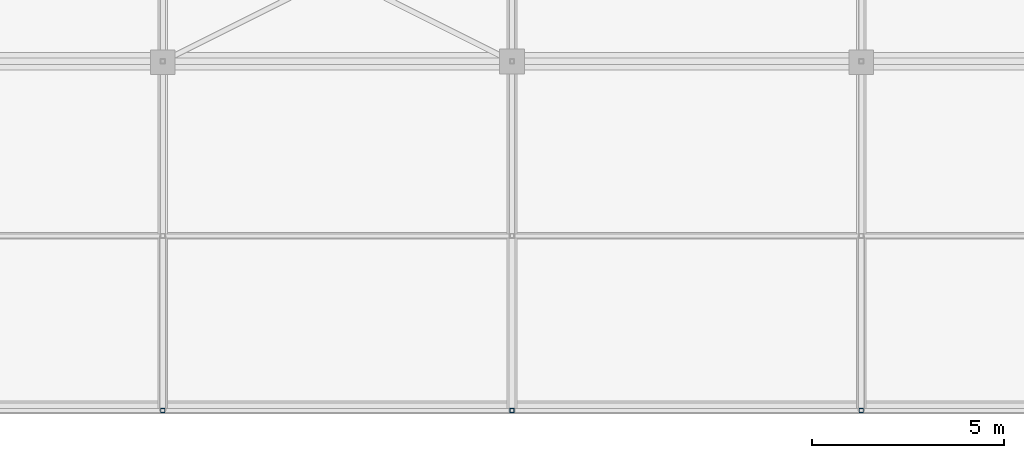
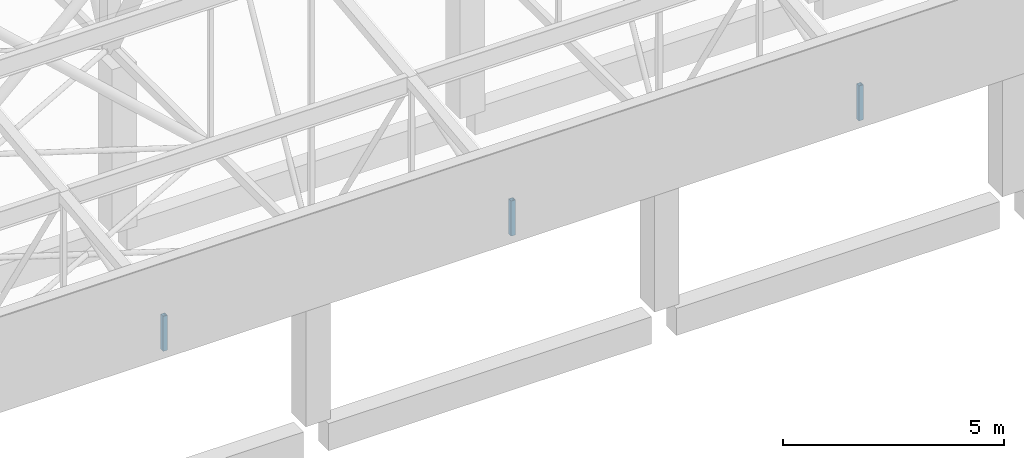
# One storey, part 411 of 500: 3 members.
"""IFC4 building model written with IfcOpenShell, lengths in metres."""

from ifc_helpers import new_model, si_unit, direction, frame, origin, origin_2d, place, context, subcontext, project, spatial, hollow_rectangle, extrude, material, material_profile, profile_set, type_object, element, save


model = new_model("IFC4")

# Units and contexts
model_context = context("Model", 3, precision=1e-05, world=origin(), true_north=direction((0.0, 1.0)))
body_context = subcontext(model_context, "Body", "Model", "MODEL_VIEW")
ifc_project = project(units=[si_unit("LENGTHUNIT", "METRE"), si_unit("AREAUNIT", "SQUARE_METRE"), si_unit("VOLUMEUNIT", "CUBIC_METRE"), si_unit("PLANEANGLEUNIT", "RADIAN"), si_unit("MASSUNIT", "GRAM", prefix="KILO")], contexts=[model_context])

# Site, building, storey
site_placement = place(None, origin())
site = spatial("IfcSite", under=ifc_project, at=site_placement, CompositionType="ELEMENT")
building_placement = place(site_placement, origin())
building = spatial("IfcBuilding", under=site, at=building_placement, Name="Shirokan Park Arena", CompositionType="ELEMENT")
storey_placement = place(building_placement, frame((0.0, 0.0, 29.1201171875)))
storey = spatial("IfcBuildingStorey", under=building, at=storey_placement, Name="L06", CompositionType="ELEMENT", Elevation=29.1201171875)

# Members
ifc_material = material(Name="Steel ASTM A500 Grade C", Category="steel")
ifc_material_profile = material_profile(ifc_material, hollow_rectangle(XDim=0.114013671875, YDim=0.114013671875, WallThickness=0.00634765625, at=origin_2d()), Name="HSS114.3X114.3X6.4")
ifc_profile_set = profile_set([ifc_material_profile], Name="Steel ASTM A500 Grade C")
member_type = type_object("IfcMemberType", Name="Truss post HSS114.3X114.3X6.4", PredefinedType="POST", material=ifc_profile_set)
for number, where, z_axis, x_axis, name in (
    (1, (45.5, -9.10009765625, 10.531982421875), (0.0, 0.0, 1.0), (1.0, 0.0, 0.0), "Truss T06 post 1"),
    (2, (54.60009765625, -9.10009765625, 10.531982421875), (0.0, 0.0, 1.0), (1.0, 0.0, 0.0), "Truss T07 post 1"),
    (3, (63.699951171875, -9.10009765625, 10.531982421875), (0.0, 0.0, 1.0), (1.0, 0.0, 0.0), "Truss T08 post 1"),
):
    element("IfcMember", number, at=place(storey_placement, frame(where, z_axis=z_axis, x_axis=x_axis)), inside=storey, type_object=member_type, Name=name, PredefinedType="POST", context=body_context, shape_type="SweptSolid", body=[
        extrude(hollow_rectangle(XDim=0.114013671875, YDim=0.114013671875, WallThickness=0.00634765625, at=origin_2d()), origin(), (0.0, 0.0, 1.0), 0.969482421875),
    ])

save(model, "model.ifc")
